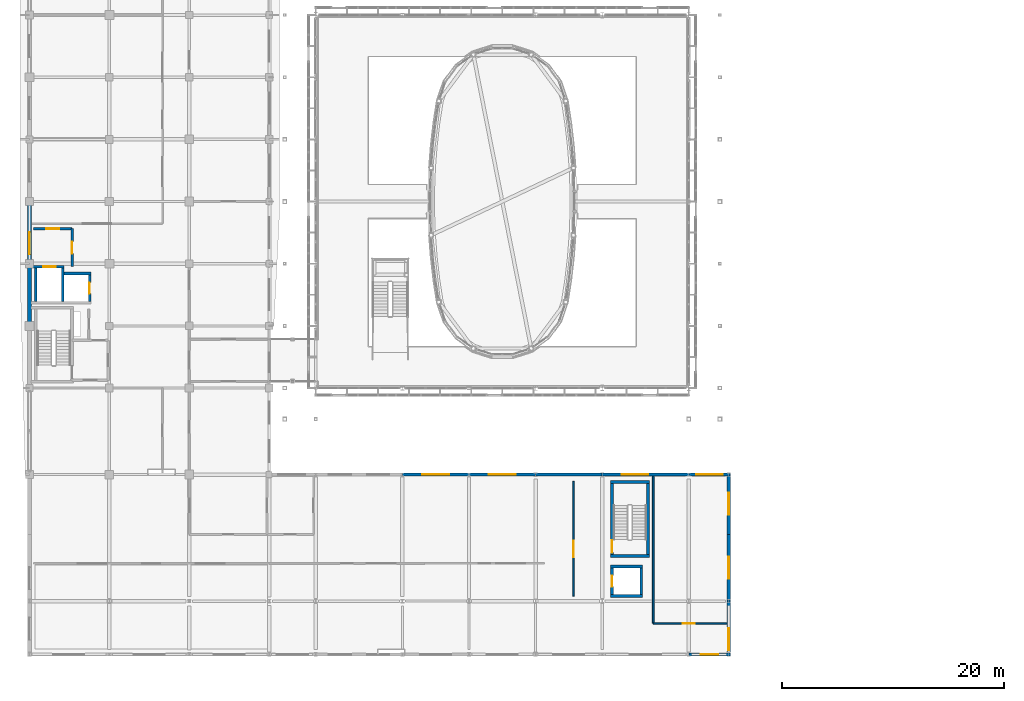
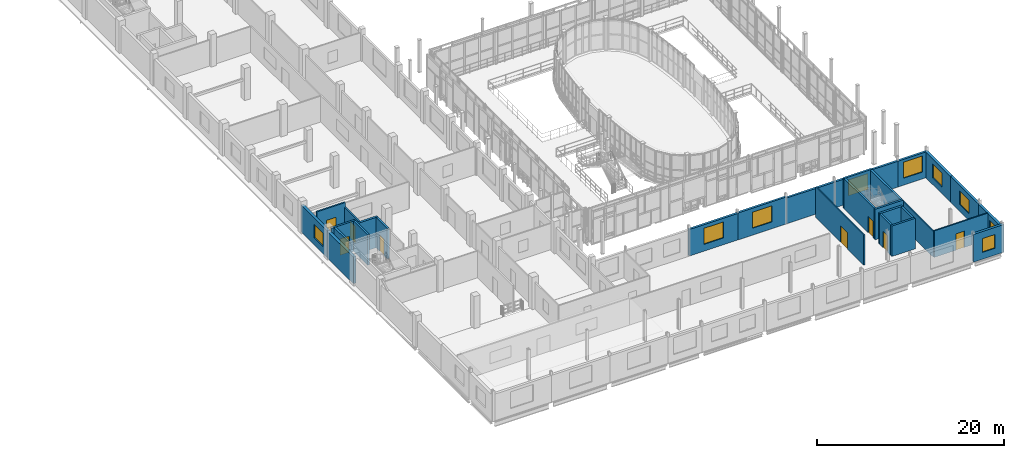
# One storey, part 94 of 121: 29 walls, 10 windows, 7 doors, 17 openings.
"""IFC4 building model written with IfcOpenShell, lengths in metres."""

from ifc_helpers import new_model, si_unit, direction, frame, frame_2d, origin, place, context, subcontext, project, spatial, rectangle, extrude, material, layer, layer_set, type_object, element, fill, save


model = new_model("IFC4")

# Units and contexts
model_context = context("Model", 3, precision=1e-05, world=origin(), true_north=direction((0.0, 1.0)))
body_context = subcontext(model_context, "Body", "Model", "MODEL_VIEW")
ifc_project = project(units=[si_unit("LENGTHUNIT", "METRE"), si_unit("AREAUNIT", "SQUARE_METRE"), si_unit("VOLUMEUNIT", "CUBIC_METRE"), si_unit("PLANEANGLEUNIT", "RADIAN"), si_unit("MASSUNIT", "GRAM", prefix="KILO")], contexts=[model_context])

# Site, building, storey
site_placement = place(None, origin())
site = spatial("IfcSite", under=ifc_project, at=site_placement, CompositionType="ELEMENT")
building_placement = place(site_placement, origin())
building = spatial("IfcBuilding", under=site, at=building_placement, Name="Vinh Khe Railworks Police Headquarters", CompositionType="ELEMENT")
storey_placement = place(building_placement, frame((0.0, 0.0, 4.800048828125)))
storey = spatial("IfcBuildingStorey", under=building, at=storey_placement, Name="L01", CompositionType="ELEMENT", Elevation=4.800048828125)

# Wall, opening, door
ifc_material_1 = material(Name="Concrete C40/50 (B40)", Category="concrete")
ifc_layer_1 = layer(ifc_material_1, 0.25)
ifc_layer_set_1 = layer_set([ifc_layer_1], Name="Concrete C40/50 (B40)")
wall_type_1 = type_object("IfcWallType", Name="Core Shear Wall 250", PredefinedType="SHEAR", material=ifc_layer_set_1)
wall_1_placement = place(storey_placement, frame((0.75, 36.125, 0.0), z_axis=(0.0, 0.0, 1.0), x_axis=(1.0, 0.0, 0.0)))
wall_1 = element("IfcWall", 1, at=wall_1_placement, inside=storey, type_object=wall_type_1, Name="Core C1 FL-N Lift Shaft Wall (L01)", PredefinedType="SHEAR", context=body_context, shape_type="SweptSolid", body=[
    extrude(rectangle(XDim=2.97509765625, YDim=0.25, at=frame_2d((1.487548828125, 0.0))), origin(), (0.0, 0.0, 1.0), 3.97998046875),
])
opening_1_placement = place(wall_1_placement, frame((1.10009765625, 0.0, 0.0)))
opening_1 = element("IfcOpeningElement", 2, at=opening_1_placement, cuts=wall_1, Name="Opening LD-01", PredefinedType="OPENING", context=body_context, shape_type="SweptSolid", body=[
    extrude(rectangle(XDim=1.10009765625, YDim=2.14990234375, at=frame_2d((0.550048828125, 1.074951171875))), frame((0.0, 0.139892578125, 0.0), z_axis=(0.0, -1.0, 0.0), x_axis=(1.0, 0.0, 0.0)), (0.0, 0.0, 1.0), 0.27978515625),
])
ifc_material_2 = material(Name="Painted galvanised steel", Category="steel")
door_type_1 = type_object("IfcDoorType", Name="LD-FF-1100", OperationType="SLIDING_TO_LEFT", PredefinedType="DOOR", material=ifc_material_2)
door_1_placement = place(opening_1_placement, origin())
door_1 = element("IfcDoor", 3, at=door_1_placement, inside=storey, type_object=door_type_1, Name="Firefighting Lift Landing Door FL-01 L01", OperationType="SLIDING_TO_LEFT", OverallHeight=2.14990234375, OverallWidth=1.10009765625, PredefinedType="DOOR", context=body_context, shape_type="SweptSolid", body=[
    extrude(rectangle(XDim=1.10009765625, YDim=2.14990234375, at=frame_2d((0.550048828125, 1.074951171875))), frame((0.0, 0.02490234375, 0.0), z_axis=(0.0, -1.0, 0.0), x_axis=(1.0, 0.0, 0.0)), (0.0, 0.0, 1.0), 0.050048828125),
])
fill(opening_1, door_1)

# Walls
wall_2_placement = place(storey_placement, frame((3.72509765625, 35.52490234375, 0.0), z_axis=(0.0, 0.0, 1.0), x_axis=(1.0, 0.0, 0.0)))
element("IfcWall", 4, at=wall_2_placement, inside=storey, type_object=wall_type_1, Name="Core C1 PL-N Lift Shaft Wall (L01)", PredefinedType="SHEAR", context=body_context, shape_type="SweptSolid", body=[
    extrude(rectangle(XDim=2.4248046875, YDim=0.25, at=frame_2d((1.21240234375, 0.0))), origin(), (0.0, 0.0, 1.0), 3.97998046875),
])
for number, where, z_axis, x_axis, name in (
    (5, (1.175048828125, 33.0, 0.0), (0.0, 0.0, 1.0), (0.0, 1.0, 0.0), "Core C1 FL-W Lift Shaft Wall (L01)"),
    (6, (3.60009765625, 33.0, 0.0), (0.0, 0.0, 1.0), (0.0, 1.0, 0.0), "Core C1 LIFT-DIV Lift Shaft Wall (L01)"),
):
    element("IfcWall", number, at=place(storey_placement, frame(where, z_axis=z_axis, x_axis=x_axis)), inside=storey, type_object=wall_type_1, Name=name, PredefinedType="SHEAR", context=body_context, shape_type="SweptSolid", body=[
        extrude(rectangle(XDim=3.0, YDim=0.25, at=frame_2d((1.5, 0.0))), origin(), (0.0, 0.0, 1.0), 3.97998046875),
    ])

# Wall, opening, door
wall_3_placement = place(storey_placement, frame((6.02490234375, 33.0, 0.0), z_axis=(0.0, 0.0, 1.0), x_axis=(0.0, 1.0, 0.0)))
wall_3 = element("IfcWall", 7, at=wall_3_placement, inside=storey, type_object=wall_type_1, Name="Core C1 PL-E Lift Shaft Wall (L01)", PredefinedType="SHEAR", context=body_context, shape_type="SweptSolid", body=[
    extrude(rectangle(XDim=2.39990234375, YDim=0.25, at=frame_2d((1.199951171875, 0.0))), origin(), (0.0, 0.0, 1.0), 3.97998046875),
])
opening_2_placement = place(wall_3_placement, frame((0.699951171875, 0.0, 0.0)))
opening_2 = element("IfcOpeningElement", 8, at=opening_2_placement, cuts=wall_3, Name="Opening LD-02", PredefinedType="OPENING", context=body_context, shape_type="SweptSolid", body=[
    extrude(rectangle(XDim=1.0, YDim=2.14990234375, at=frame_2d((0.5, 1.074951171875))), frame((0.0, 0.139892578125, 0.0), z_axis=(0.0, -1.0, 0.0), x_axis=(1.0, 0.0, 0.0)), (0.0, 0.0, 1.0), 0.27978515625),
])
door_type_2 = type_object("IfcDoorType", Name="LD-PAX-1000", OperationType="SLIDING_TO_RIGHT", PredefinedType="DOOR", material=ifc_material_2)
door_2_placement = place(opening_2_placement, frame((1.0, 0.0, 0.0), z_axis=(0.0, 0.0, 1.0), x_axis=(-1.0, 0.0, 0.0)))
door_2 = element("IfcDoor", 9, at=door_2_placement, inside=storey, type_object=door_type_2, Name="Passenger Lift Landing Door PL-01 L01", OperationType="SLIDING_TO_RIGHT", OverallHeight=2.14990234375, OverallWidth=1.0, PredefinedType="DOOR", context=body_context, shape_type="SweptSolid", body=[
    extrude(rectangle(XDim=1.0, YDim=2.14990234375, at=frame_2d((0.5, 1.074951171875))), frame((0.0, 0.02490234375, 0.0), z_axis=(0.0, -1.0, 0.0), x_axis=(1.0, 0.0, 0.0)), (0.0, 0.0, 1.0), 0.050048828125),
])
fill(opening_2, door_2)

# Walls
for number, where, z_axis, x_axis, name in (
    (10, (52.949951171875, 10.074951171875, 0.0), (0.0, 0.0, 1.0), (1.0, 0.0, 0.0), "Core C5 STAIR-S Shear Wall (L01)"),
    (11, (52.949951171875, 16.72509765625, 0.0), (0.0, 0.0, 1.0), (1.0, 0.0, 0.0), "Core C5 STAIR-N Shear Wall (L01)"),
):
    element("IfcWall", number, at=place(storey_placement, frame(where, z_axis=z_axis, x_axis=x_axis)), inside=storey, type_object=wall_type_1, Name=name, PredefinedType="SHEAR", context=body_context, shape_type="SweptSolid", body=[
        extrude(rectangle(XDim=3.5, YDim=0.25, at=frame_2d((1.75, 0.0))), origin(), (0.0, 0.0, 1.0), 3.97998046875),
    ])

# Wall, opening, door
wall_4_placement = place(storey_placement, frame((53.074951171875, 10.199951171875, 0.0), z_axis=(0.0, 0.0, 1.0), x_axis=(0.0, 1.0, 0.0)))
wall_4 = element("IfcWall", 12, at=wall_4_placement, inside=storey, type_object=wall_type_1, Name="Core C5 STAIR-W Shear Wall (L01)", PredefinedType="SHEAR", context=body_context, shape_type="SweptSolid", body=[
    extrude(rectangle(XDim=6.400146484375, YDim=0.25, at=frame_2d((3.2001953125, 0.0))), origin(), (0.0, 0.0, 1.0), 3.97998046875),
])
opening_3_placement = place(wall_4_placement, frame((0.169921875, 0.0, 0.0)))
opening_3 = element("IfcOpeningElement", 13, at=opening_3_placement, cuts=wall_4, Name="Opening FD-01", PredefinedType="OPENING", context=body_context, shape_type="SweptSolid", body=[
    extrude(rectangle(XDim=1.10009765625, YDim=2.14990234375, at=frame_2d((0.550048828125, 1.074951171875))), frame((0.0, 0.139892578125, 0.0), z_axis=(0.0, -1.0, 0.0), x_axis=(1.0, 0.0, 0.0)), (0.0, 0.0, 1.0), 0.27978515625),
])
door_type_3 = type_object("IfcDoorType", Name="FD-1100x2150", OperationType="NOTDEFINED", PredefinedType="DOOR", material=ifc_material_2)
door_3_placement = place(opening_3_placement, origin())
door_3 = element("IfcDoor", 14, at=door_3_placement, inside=storey, type_object=door_type_3, Name="Escape Stair ST-05 Fire Door L01", OperationType="SINGLE_SWING_LEFT", OverallHeight=2.14990234375, OverallWidth=1.10009765625, PredefinedType="DOOR", context=body_context, shape_type="SweptSolid", body=[
    extrude(rectangle(XDim=1.10009765625, YDim=2.14990234375, at=frame_2d((0.550048828125, 1.074951171875))), frame((0.0, 0.02490234375, 0.0), z_axis=(0.0, -1.0, 0.0), x_axis=(1.0, 0.0, 0.0)), (0.0, 0.0, 1.0), 0.050048828125),
])
fill(opening_3, door_3)

# Walls
wall_5_placement = place(storey_placement, frame((56.324951171875, 10.199951171875, 0.0), z_axis=(0.0, 0.0, 1.0), x_axis=(0.0, 1.0, 0.0)))
element("IfcWall", 15, at=wall_5_placement, inside=storey, type_object=wall_type_1, Name="Core C5 STAIR-E Shear Wall (L01)", PredefinedType="SHEAR", context=body_context, shape_type="SweptSolid", body=[
    extrude(rectangle(XDim=6.400146484375, YDim=0.25, at=frame_2d((3.2001953125, 0.0))), origin(), (0.0, 0.0, 1.0), 3.97998046875),
])
for number, where, z_axis, x_axis, name in (
    (16, (52.949951171875, 6.47509765625, 0.0), (0.0, 0.0, 1.0), (1.0, 0.0, 0.0), "Core C5 PL-S Lift Shaft Wall (L01)"),
    (17, (52.949951171875, 9.125, 0.0), (0.0, 0.0, 1.0), (1.0, 0.0, 0.0), "Core C5 PL-N Lift Shaft Wall (L01)"),
):
    element("IfcWall", number, at=place(storey_placement, frame(where, z_axis=z_axis, x_axis=x_axis)), inside=storey, type_object=wall_type_1, Name=name, PredefinedType="SHEAR", context=body_context, shape_type="SweptSolid", body=[
        extrude(rectangle(XDim=2.900146484375, YDim=0.25, at=frame_2d((1.4501953125, 0.0))), origin(), (0.0, 0.0, 1.0), 3.97998046875),
    ])

# Wall, opening, door
wall_6_placement = place(storey_placement, frame((53.074951171875, 6.60009765625, 0.0), z_axis=(0.0, 0.0, 1.0), x_axis=(0.0, 1.0, 0.0)))
wall_6 = element("IfcWall", 18, at=wall_6_placement, inside=storey, type_object=wall_type_1, Name="Core C5 PL-W Lift Shaft Wall (L01)", PredefinedType="SHEAR", context=body_context, shape_type="SweptSolid", body=[
    extrude(rectangle(XDim=2.39990234375, YDim=0.25, at=frame_2d((1.199951171875, 0.0))), origin(), (0.0, 0.0, 1.0), 3.97998046875),
])
opening_4_placement = place(wall_6_placement, frame((0.699951171875, 0.0, 0.0)))
opening_4 = element("IfcOpeningElement", 19, at=opening_4_placement, cuts=wall_6, Name="Opening LD-02", PredefinedType="OPENING", context=body_context, shape_type="SweptSolid", body=[
    extrude(rectangle(XDim=1.0, YDim=2.14990234375, at=frame_2d((0.5, 1.074951171875))), frame((0.0, 0.139892578125, 0.0), z_axis=(0.0, -1.0, 0.0), x_axis=(1.0, 0.0, 0.0)), (0.0, 0.0, 1.0), 0.27978515625),
])
door_4_placement = place(opening_4_placement, origin())
door_4 = element("IfcDoor", 20, at=door_4_placement, inside=storey, type_object=door_type_2, Name="Lift Landing Door PL-04 L01", OperationType="SLIDING_TO_LEFT", OverallHeight=2.14990234375, OverallWidth=1.0, PredefinedType="DOOR", context=body_context, shape_type="SweptSolid", body=[
    extrude(rectangle(XDim=1.0, YDim=2.14990234375, at=frame_2d((0.5, 1.074951171875))), frame((0.0, 0.02490234375, 0.0), z_axis=(0.0, -1.0, 0.0), x_axis=(1.0, 0.0, 0.0)), (0.0, 0.0, 1.0), 0.050048828125),
])
fill(opening_4, door_4)

# Wall
wall_7_placement = place(storey_placement, frame((55.72509765625, 6.60009765625, 0.0), z_axis=(0.0, 0.0, 1.0), x_axis=(0.0, 1.0, 0.0)))
element("IfcWall", 21, at=wall_7_placement, inside=storey, type_object=wall_type_1, Name="Core C5 PL-E Lift Shaft Wall (L01)", PredefinedType="SHEAR", context=body_context, shape_type="SweptSolid", body=[
    extrude(rectangle(XDim=2.39990234375, YDim=0.25, at=frame_2d((1.199951171875, 0.0))), origin(), (0.0, 0.0, 1.0), 3.97998046875),
])

# Wall, opening, window
ifc_material_3 = material(Name="Clay brickwork", Category="masonry")
ifc_layer_2 = layer(ifc_material_3, 0.260009765625)
ifc_layer_set_2 = layer_set([ifc_layer_2], Name="Clay brickwork")
wall_type_2 = type_object("IfcWallType", Name="EW-BRK-260", PredefinedType="SOLIDWALL", material=ifc_layer_set_2)
wall_8_placement = place(storey_placement, frame((34.199951171875, 17.39990234375, 0.0), z_axis=(0.0, 0.0, 1.0), x_axis=(1.0, 0.0, 0.0)))
wall_8 = element("IfcWall", 22, at=wall_8_placement, inside=storey, type_object=wall_type_2, Name="Exterior Brick Wall EW-L01-V4N-03", PredefinedType="SOLIDWALL", context=body_context, shape_type="SweptSolid", body=[
    extrude(rectangle(XDim=6.0, YDim=0.260009765625, at=frame_2d((3.0, 0.0))), origin(), (0.0, 0.0, 1.0), 3.474853515625),
])
opening_5_placement = place(wall_8_placement, frame((1.800048828125, 0.0, 0.89990234375)))
opening_5 = element("IfcOpeningElement", 23, at=opening_5_placement, cuts=wall_8, Name="Opening WN-02", PredefinedType="OPENING", context=body_context, shape_type="SweptSolid", body=[
    extrude(rectangle(XDim=2.39990234375, YDim=2.10009765625, at=frame_2d((1.199951171875, 1.050048828125))), frame((0.0, 0.14501953125, 0.0), z_axis=(0.0, -1.0, 0.0), x_axis=(1.0, 0.0, 0.0)), (0.0, 0.0, 1.0), 0.289794921875),
])
ifc_material_4 = material(Name="Double-glazed solar-control glass in dark steel frame", Category="steel")
window_type_1 = type_object("IfcWindowType", Name="WIN-WN-02", PartitioningType="DOUBLE_PANEL_VERTICAL", PredefinedType="WINDOW", material=ifc_material_4)
window_1_placement = place(opening_5_placement, origin())
window_1 = element("IfcWindow", 24, at=window_1_placement, inside=storey, type_object=window_type_1, Name="Casement Window WN-02", OverallHeight=2.10009765625, OverallWidth=2.39990234375, PartitioningType="SINGLE_PANEL", PredefinedType="WINDOW", context=body_context, shape_type="SweptSolid", body=[
    extrude(rectangle(XDim=2.39990234375, YDim=2.10009765625, at=frame_2d((1.199951171875, 1.050048828125))), frame((0.0, 0.030029296875, 0.0), z_axis=(0.0, -1.0, 0.0), x_axis=(1.0, 0.0, 0.0)), (0.0, 0.0, 1.0), 0.06005859375),
])
fill(opening_5, window_1)

wall_9_placement = place(storey_placement, frame((40.199951171875, 17.39990234375, 0.0), z_axis=(0.0, 0.0, 1.0), x_axis=(1.0, 0.0, 0.0)))
wall_9 = element("IfcWall", 25, at=wall_9_placement, inside=storey, type_object=wall_type_2, Name="Exterior Brick Wall EW-L01-V4N-04", PredefinedType="SOLIDWALL", context=body_context, shape_type="SweptSolid", body=[
    extrude(rectangle(XDim=6.0, YDim=0.260009765625, at=frame_2d((3.0, 0.0))), origin(), (0.0, 0.0, 1.0), 3.52490234375),
])
opening_6_placement = place(wall_9_placement, frame((1.800048828125, 0.0, 0.89990234375)))
opening_6 = element("IfcOpeningElement", 26, at=opening_6_placement, cuts=wall_9, Name="Opening WN-02", PredefinedType="OPENING", context=body_context, shape_type="SweptSolid", body=[
    extrude(rectangle(XDim=2.39990234375, YDim=2.10009765625, at=frame_2d((1.199951171875, 1.050048828125))), frame((0.0, 0.14501953125, 0.0), z_axis=(0.0, -1.0, 0.0), x_axis=(1.0, 0.0, 0.0)), (0.0, 0.0, 1.0), 0.289794921875),
])
window_2_placement = place(opening_6_placement, origin())
window_2 = element("IfcWindow", 27, at=window_2_placement, inside=storey, type_object=window_type_1, Name="Casement Window WN-02", OverallHeight=2.10009765625, OverallWidth=2.39990234375, PartitioningType="SINGLE_PANEL", PredefinedType="WINDOW", context=body_context, shape_type="SweptSolid", body=[
    extrude(rectangle(XDim=2.39990234375, YDim=2.10009765625, at=frame_2d((1.199951171875, 1.050048828125))), frame((0.0, 0.030029296875, 0.0), z_axis=(0.0, -1.0, 0.0), x_axis=(1.0, 0.0, 0.0)), (0.0, 0.0, 1.0), 0.06005859375),
])
fill(opening_6, window_2)

# Wall
wall_10_placement = place(storey_placement, frame((46.199951171875, 17.39990234375, 0.0), z_axis=(0.0, 0.0, 1.0), x_axis=(1.0, 0.0, 0.0)))
element("IfcWall", 28, at=wall_10_placement, inside=storey, type_object=wall_type_2, Name="Exterior Brick Wall EW-L01-V4N-05", PredefinedType="SOLIDWALL", context=body_context, shape_type="SweptSolid", body=[
    extrude(rectangle(XDim=6.0, YDim=0.260009765625, at=frame_2d((3.0, 0.0))), origin(), (0.0, 0.0, 1.0), 3.375),
])

# Wall, opening, window
wall_11_placement = place(storey_placement, frame((52.199951171875, 17.39990234375, 0.0), z_axis=(0.0, 0.0, 1.0), x_axis=(1.0, 0.0, 0.0)))
wall_11 = element("IfcWall", 29, at=wall_11_placement, inside=storey, type_object=wall_type_2, Name="Exterior Brick Wall EW-L01-V4N-06", PredefinedType="SOLIDWALL", context=body_context, shape_type="SweptSolid", body=[
    extrude(rectangle(XDim=7.800048828125, YDim=0.260009765625, at=frame_2d((3.89990234375, 0.0))), origin(), (0.0, 0.0, 1.0), 3.375),
])
opening_7_placement = place(wall_11_placement, frame((1.75, 0.0, 0.89990234375)))
opening_7 = element("IfcOpeningElement", 30, at=opening_7_placement, cuts=wall_11, Name="Opening WN-02", PredefinedType="OPENING", context=body_context, shape_type="SweptSolid", body=[
    extrude(rectangle(XDim=2.39990234375, YDim=2.10009765625, at=frame_2d((1.199951171875, 1.050048828125))), frame((0.0, 0.14501953125, 0.0), z_axis=(0.0, -1.0, 0.0), x_axis=(1.0, 0.0, 0.0)), (0.0, 0.0, 1.0), 0.289794921875),
])
window_3_placement = place(opening_7_placement, origin())
window_3 = element("IfcWindow", 31, at=window_3_placement, inside=storey, type_object=window_type_1, Name="Casement Window WN-02", OverallHeight=2.10009765625, OverallWidth=2.39990234375, PartitioningType="SINGLE_PANEL", PredefinedType="WINDOW", context=body_context, shape_type="SweptSolid", body=[
    extrude(rectangle(XDim=2.39990234375, YDim=2.10009765625, at=frame_2d((1.199951171875, 1.050048828125))), frame((0.0, 0.030029296875, 0.0), z_axis=(0.0, -1.0, 0.0), x_axis=(1.0, 0.0, 0.0)), (0.0, 0.0, 1.0), 0.06005859375),
])
fill(opening_7, window_3)

wall_12_placement = place(storey_placement, frame((60.0, 17.39990234375, 0.0), z_axis=(0.0, 0.0, 1.0), x_axis=(1.0, 0.0, 0.0)))
wall_12 = element("IfcWall", 32, at=wall_12_placement, inside=storey, type_object=wall_type_2, Name="Exterior Brick Wall EW-L01-V4N-07", PredefinedType="SOLIDWALL", context=body_context, shape_type="SweptSolid", body=[
    extrude(rectangle(XDim=3.72998046875, YDim=0.260009765625, at=frame_2d((1.864990234375, 0.0))), origin(), (0.0, 0.0, 1.0), 3.375),
])
opening_8_placement = place(wall_12_placement, frame((0.6650390625, 0.0, 0.89990234375)))
opening_8 = element("IfcOpeningElement", 33, at=opening_8_placement, cuts=wall_12, Name="Opening WN-02", PredefinedType="OPENING", context=body_context, shape_type="SweptSolid", body=[
    extrude(rectangle(XDim=2.39990234375, YDim=2.10009765625, at=frame_2d((1.199951171875, 1.050048828125))), frame((0.0, 0.14501953125, 0.0), z_axis=(0.0, -1.0, 0.0), x_axis=(1.0, 0.0, 0.0)), (0.0, 0.0, 1.0), 0.289794921875),
])
window_4_placement = place(opening_8_placement, origin())
window_4 = element("IfcWindow", 34, at=window_4_placement, inside=storey, type_object=window_type_1, Name="Casement Window WN-02", OverallHeight=2.10009765625, OverallWidth=2.39990234375, PartitioningType="SINGLE_PANEL", PredefinedType="WINDOW", context=body_context, shape_type="SweptSolid", body=[
    extrude(rectangle(XDim=2.39990234375, YDim=2.10009765625, at=frame_2d((1.199951171875, 1.050048828125))), frame((0.0, 0.030029296875, 0.0), z_axis=(0.0, -1.0, 0.0), x_axis=(1.0, 0.0, 0.0)), (0.0, 0.0, 1.0), 0.06005859375),
])
fill(opening_8, window_4)

ifc_layer_3 = layer(ifc_material_3, 0.300048828125)
ifc_layer_set_3 = layer_set([ifc_layer_3], Name="Clay brickwork")
wall_type_3 = type_object("IfcWallType", Name="EW-BRK-300", PredefinedType="SOLIDWALL", material=ifc_layer_set_3)
wall_13_placement = place(storey_placement, frame((60.0, 1.199951171875, 0.0), z_axis=(0.0, 0.0, 1.0), x_axis=(1.0, 0.0, 0.0)))
wall_13 = element("IfcWall", 35, at=wall_13_placement, inside=storey, type_object=wall_type_3, Name="Exterior Brick Wall EW-L01-V4S-10", PredefinedType="SOLIDWALL", context=body_context, shape_type="SweptSolid", body=[
    extrude(rectangle(XDim=3.75, YDim=0.300048828125, at=frame_2d((1.875, 0.0))), origin(), (0.0, 0.0, 1.0), 3.625),
])
opening_9_placement = place(wall_13_placement, frame((1.074951171875, 0.0, 0.89990234375)))
opening_9 = element("IfcOpeningElement", 36, at=opening_9_placement, cuts=wall_13, Name="Opening WN-05", PredefinedType="OPENING", context=body_context, shape_type="SweptSolid", body=[
    extrude(rectangle(XDim=1.60009765625, YDim=1.800048828125, at=frame_2d((0.800048828125, 0.89990234375))), frame((0.0, 0.1650390625, 0.0), z_axis=(0.0, -1.0, 0.0), x_axis=(1.0, 0.0, 0.0)), (0.0, 0.0, 1.0), 0.329833984375),
])
window_type_2 = type_object("IfcWindowType", Name="WIN-WN-05", PartitioningType="SINGLE_PANEL", PredefinedType="WINDOW", material=ifc_material_4)
window_5_placement = place(opening_9_placement, origin())
window_5 = element("IfcWindow", 37, at=window_5_placement, inside=storey, type_object=window_type_2, Name="Casement Window WN-05", OverallHeight=1.800048828125, OverallWidth=1.60009765625, PartitioningType="SINGLE_PANEL", PredefinedType="WINDOW", context=body_context, shape_type="SweptSolid", body=[
    extrude(rectangle(XDim=1.60009765625, YDim=1.800048828125, at=frame_2d((0.800048828125, 0.89990234375))), frame((0.0, 0.030029296875, 0.0), z_axis=(0.0, -1.0, 0.0), x_axis=(1.0, 0.0, 0.0)), (0.0, 0.0, 1.0), 0.06005859375),
])
fill(opening_9, window_5)

wall_14_placement = place(storey_placement, frame((63.60009765625, 1.050048828125, 0.0), z_axis=(0.0, 0.0, 1.0), x_axis=(0.0, 1.0, 0.0)))
wall_14 = element("IfcWall", 38, at=wall_14_placement, inside=storey, type_object=wall_type_3, Name="Exterior Brick Wall EW-L01-V4E-01", PredefinedType="SOLIDWALL", context=body_context, shape_type="SweptSolid", body=[
    extrude(rectangle(XDim=4.949951171875, YDim=0.300048828125, at=frame_2d((2.47509765625, 0.0))), origin(), (0.0, 0.0, 1.0), 3.385009765625),
])
opening_10_placement = place(wall_14_placement, frame((0.52490234375, 0.0, 0.89990234375)))
opening_10 = element("IfcOpeningElement", 39, at=opening_10_placement, cuts=wall_14, Name="Opening WN-04", PredefinedType="OPENING", context=body_context, shape_type="SweptSolid", body=[
    extrude(rectangle(XDim=2.0, YDim=1.800048828125, at=frame_2d((1.0, 0.89990234375))), frame((0.0, 0.1650390625, 0.0), z_axis=(0.0, -1.0, 0.0), x_axis=(1.0, 0.0, 0.0)), (0.0, 0.0, 1.0), 0.329833984375),
])
window_type_3 = type_object("IfcWindowType", Name="WIN-WN-04", PartitioningType="DOUBLE_PANEL_VERTICAL", PredefinedType="WINDOW", material=ifc_material_4)
window_6_placement = place(opening_10_placement, origin())
window_6 = element("IfcWindow", 40, at=window_6_placement, inside=storey, type_object=window_type_3, Name="Casement Window WN-04", OverallHeight=1.800048828125, OverallWidth=2.0, PartitioningType="SINGLE_PANEL", PredefinedType="WINDOW", context=body_context, shape_type="SweptSolid", body=[
    extrude(rectangle(XDim=2.0, YDim=1.800048828125, at=frame_2d((1.0, 0.89990234375))), frame((0.0, 0.030029296875, 0.0), z_axis=(0.0, -1.0, 0.0), x_axis=(1.0, 0.0, 0.0)), (0.0, 0.0, 1.0), 0.06005859375),
])
fill(opening_10, window_6)

wall_15_placement = place(storey_placement, frame((63.60009765625, 6.0, 0.0), z_axis=(0.0, 0.0, 1.0), x_axis=(0.0, 1.0, 0.0)))
wall_15 = element("IfcWall", 41, at=wall_15_placement, inside=storey, type_object=wall_type_3, Name="Exterior Brick Wall EW-L01-V4E-02", PredefinedType="SOLIDWALL", context=body_context, shape_type="SweptSolid", body=[
    extrude(rectangle(XDim=6.0, YDim=0.300048828125, at=frame_2d((3.0, 0.0))), origin(), (0.0, 0.0, 1.0), 3.385009765625),
])
opening_11_placement = place(wall_15_placement, frame((2.0, 0.0, 0.89990234375)))
opening_11 = element("IfcOpeningElement", 42, at=opening_11_placement, cuts=wall_15, Name="Opening WN-04", PredefinedType="OPENING", context=body_context, shape_type="SweptSolid", body=[
    extrude(rectangle(XDim=2.0, YDim=1.800048828125, at=frame_2d((1.0, 0.89990234375))), frame((0.0, 0.1650390625, 0.0), z_axis=(0.0, -1.0, 0.0), x_axis=(1.0, 0.0, 0.0)), (0.0, 0.0, 1.0), 0.329833984375),
])
window_7_placement = place(opening_11_placement, origin())
window_7 = element("IfcWindow", 43, at=window_7_placement, inside=storey, type_object=window_type_3, Name="Casement Window WN-04", OverallHeight=1.800048828125, OverallWidth=2.0, PartitioningType="SINGLE_PANEL", PredefinedType="WINDOW", context=body_context, shape_type="SweptSolid", body=[
    extrude(rectangle(XDim=2.0, YDim=1.800048828125, at=frame_2d((1.0, 0.89990234375))), frame((0.0, 0.030029296875, 0.0), z_axis=(0.0, -1.0, 0.0), x_axis=(1.0, 0.0, 0.0)), (0.0, 0.0, 1.0), 0.06005859375),
])
fill(opening_11, window_7)

wall_16_placement = place(storey_placement, frame((63.60009765625, 12.0, 0.0), z_axis=(0.0, 0.0, 1.0), x_axis=(0.0, 1.0, 0.0)))
wall_16 = element("IfcWall", 44, at=wall_16_placement, inside=storey, type_object=wall_type_3, Name="Exterior Brick Wall EW-L01-V4E-03", PredefinedType="SOLIDWALL", context=body_context, shape_type="SweptSolid", body=[
    extrude(rectangle(XDim=5.550048828125, YDim=0.300048828125, at=frame_2d((2.77490234375, 0.0))), origin(), (0.0, 0.0, 1.0), 3.385009765625),
])
opening_12_placement = place(wall_16_placement, frame((1.77490234375, 0.0, 0.89990234375)))
opening_12 = element("IfcOpeningElement", 45, at=opening_12_placement, cuts=wall_16, Name="Opening WN-04", PredefinedType="OPENING", context=body_context, shape_type="SweptSolid", body=[
    extrude(rectangle(XDim=2.0, YDim=1.800048828125, at=frame_2d((1.0, 0.89990234375))), frame((0.0, 0.1650390625, 0.0), z_axis=(0.0, -1.0, 0.0), x_axis=(1.0, 0.0, 0.0)), (0.0, 0.0, 1.0), 0.329833984375),
])
window_8_placement = place(opening_12_placement, origin())
window_8 = element("IfcWindow", 46, at=window_8_placement, inside=storey, type_object=window_type_3, Name="Casement Window WN-04", OverallHeight=1.800048828125, OverallWidth=2.0, PartitioningType="SINGLE_PANEL", PredefinedType="WINDOW", context=body_context, shape_type="SweptSolid", body=[
    extrude(rectangle(XDim=2.0, YDim=1.800048828125, at=frame_2d((1.0, 0.89990234375))), frame((0.0, 0.030029296875, 0.0), z_axis=(0.0, -1.0, 0.0), x_axis=(1.0, 0.0, 0.0)), (0.0, 0.0, 1.0), 0.06005859375),
])
fill(opening_12, window_8)

# Wall
ifc_layer_4 = layer(ifc_material_3, 0.340087890625)
ifc_layer_set_4 = layer_set([ifc_layer_4], Name="Clay brickwork")
wall_type_4 = type_object("IfcWallType", Name="EW-BRK-340", PredefinedType="SOLIDWALL", material=ifc_layer_set_4)
wall_17_placement = place(storey_placement, frame((0.60009765625, 30.800048828125, 0.0), z_axis=(0.0, 0.0, 1.0), x_axis=(0.0, 1.0, 0.0)))
element("IfcWall", 47, at=wall_17_placement, inside=storey, type_object=wall_type_4, Name="Exterior Brick Wall EW-L01-V5W-03", PredefinedType="SOLIDWALL", context=body_context, shape_type="SweptSolid", body=[
    extrude(rectangle(XDim=5.599853515625, YDim=0.340087890625, at=frame_2d((2.7998046875, 0.0))), origin(), (0.0, 0.0, 1.0), 3.474853515625),
])

# Wall, opening, window
wall_18_placement = place(storey_placement, frame((0.60009765625, 36.39990234375, 0.0), z_axis=(0.0, 0.0, 1.0), x_axis=(0.0, 1.0, 0.0)))
wall_18 = element("IfcWall", 48, at=wall_18_placement, inside=storey, type_object=wall_type_4, Name="Exterior Brick Wall EW-L01-V5W-04", PredefinedType="SOLIDWALL", context=body_context, shape_type="SweptSolid", body=[
    extrude(rectangle(XDim=5.60009765625, YDim=0.340087890625, at=frame_2d((2.800048828125, 0.0))), origin(), (0.0, 0.0, 1.0), 3.52490234375),
])
opening_13_placement = place(wall_18_placement, frame((0.85009765625, 0.0, 0.89990234375)))
opening_13 = element("IfcOpeningElement", 49, at=opening_13_placement, cuts=wall_18, Name="Opening WN-04", PredefinedType="OPENING", context=body_context, shape_type="SweptSolid", body=[
    extrude(rectangle(XDim=2.0, YDim=1.800048828125, at=frame_2d((1.0, 0.89990234375))), frame((0.0, 0.18505859375, 0.0), z_axis=(0.0, -1.0, 0.0), x_axis=(1.0, 0.0, 0.0)), (0.0, 0.0, 1.0), 0.369873046875),
])
window_9_placement = place(opening_13_placement, origin())
window_9 = element("IfcWindow", 50, at=window_9_placement, inside=storey, type_object=window_type_3, Name="Casement Window WN-04", OverallHeight=1.800048828125, OverallWidth=2.0, PartitioningType="SINGLE_PANEL", PredefinedType="WINDOW", context=body_context, shape_type="SweptSolid", body=[
    extrude(rectangle(XDim=2.0, YDim=1.800048828125, at=frame_2d((1.0, 0.89990234375))), frame((0.0, 0.030029296875, 0.0), z_axis=(0.0, -1.0, 0.0), x_axis=(1.0, 0.0, 0.0)), (0.0, 0.0, 1.0), 0.06005859375),
])
fill(opening_13, window_9)

ifc_material_5 = material(Name="Autoclaved aerated concrete blockwork", Category="masonry")
ifc_layer_5 = layer(ifc_material_5, 0.199951171875)
ifc_layer_set_5 = layer_set([ifc_layer_5], Name="Autoclaved aerated concrete blockwork")
wall_type_5 = type_object("IfcWallType", Name="IW-BLK-200", PredefinedType="PARTITIONING", material=ifc_layer_set_5)
wall_19_placement = place(storey_placement, frame((0.949951171875, 39.550048828125, 0.0), z_axis=(0.0, 0.0, 1.0), x_axis=(1.0, 0.0, 0.0)))
wall_19 = element("IfcWall", 51, at=wall_19_placement, inside=storey, type_object=wall_type_5, Name="Interior Partition W-FFL-C1-N-L01", PredefinedType="PARTITIONING", context=body_context, shape_type="SweptSolid", body=[
    extrude(rectangle(XDim=3.5, YDim=0.199951171875, at=frame_2d((1.75, 0.0))), origin(), (0.0, 0.0, 1.0), 3.974853515625),
])
opening_14_placement = place(wall_19_placement, frame((1.14990234375, 0.0, 0.949951171875)))
opening_14 = element("IfcOpeningElement", 52, at=opening_14_placement, cuts=wall_19, Name="Opening WN-10", PredefinedType="OPENING", context=body_context, shape_type="SweptSolid", body=[
    extrude(rectangle(XDim=1.199951171875, YDim=1.5, at=frame_2d((0.60009765625, 0.75))), frame((0.0, 0.11474609375, 0.0), z_axis=(0.0, -1.0, 0.0), x_axis=(1.0, 0.0, 0.0)), (0.0, 0.0, 1.0), 0.229736328125),
])
window_type_4 = type_object("IfcWindowType", Name="WIN-WN-10", PartitioningType="SINGLE_PANEL", PredefinedType="WINDOW", material=ifc_material_4)
window_10_placement = place(opening_14_placement, origin())
window_10 = element("IfcWindow", 53, at=window_10_placement, inside=storey, type_object=window_type_4, Name="Interior Acoustic Vision Window WN-10", OverallHeight=1.5, OverallWidth=1.199951171875, PartitioningType="SINGLE_PANEL", PredefinedType="WINDOW", context=body_context, shape_type="SweptSolid", body=[
    extrude(rectangle(XDim=1.199951171875, YDim=1.5, at=frame_2d((0.60009765625, 0.75))), frame((0.0, 0.030029296875, 0.0), z_axis=(0.0, -1.0, 0.0), x_axis=(1.0, 0.0, 0.0)), (0.0, 0.0, 1.0), 0.06005859375),
])
fill(opening_14, window_10)

# Wall, opening, door
wall_20_placement = place(storey_placement, frame((4.449951171875, 36.14990234375, 0.0), z_axis=(0.0, 0.0, 1.0), x_axis=(0.0, 1.0, 0.0)))
wall_20 = element("IfcWall", 54, at=wall_20_placement, inside=storey, type_object=wall_type_5, Name="Interior Partition W-FFL-C1-E-L01", PredefinedType="PARTITIONING", context=body_context, shape_type="SweptSolid", body=[
    extrude(rectangle(XDim=3.400146484375, YDim=0.199951171875, at=frame_2d((1.7001953125, 0.0))), origin(), (0.0, 0.0, 1.0), 3.375),
])
opening_15_placement = place(wall_20_placement, frame((1.14990234375, 0.0, 0.0)))
opening_15 = element("IfcOpeningElement", 55, at=opening_15_placement, cuts=wall_20, Name="Opening FD-01", PredefinedType="OPENING", context=body_context, shape_type="SweptSolid", body=[
    extrude(rectangle(XDim=1.10009765625, YDim=2.14990234375, at=frame_2d((0.550048828125, 1.074951171875))), frame((0.0, 0.11474609375, 0.0), z_axis=(0.0, -1.0, 0.0), x_axis=(1.0, 0.0, 0.0)), (0.0, 0.0, 1.0), 0.229736328125),
])
door_5_placement = place(opening_15_placement, origin())
door_5 = element("IfcDoor", 56, at=door_5_placement, inside=storey, type_object=door_type_3, Name="Firefighting Lobby Exit Door", OperationType="SINGLE_SWING_RIGHT", OverallHeight=2.14990234375, OverallWidth=1.10009765625, PredefinedType="DOOR", context=body_context, shape_type="SweptSolid", body=[
    extrude(rectangle(XDim=1.10009765625, YDim=2.14990234375, at=frame_2d((0.550048828125, 1.074951171875))), frame((0.0, 0.02490234375, 0.0), z_axis=(0.0, -1.0, 0.0), x_axis=(1.0, 0.0, 0.0)), (0.0, 0.0, 1.0), 0.050048828125),
])
fill(opening_15, door_5)

# Wall
ifc_material_6 = material(Name="Gypsum plasterboard on acoustic steel stud", Category="steel")
ifc_layer_6 = layer(ifc_material_6, 0.14990234375)
ifc_layer_set_6 = layer_set([ifc_layer_6], Name="Gypsum plasterboard on acoustic steel stud")
wall_type_6 = type_object("IfcWallType", Name="IW-PART-150", PredefinedType="PARTITIONING", material=ifc_layer_set_6)
wall_21_placement = place(storey_placement, frame((56.800048828125, 4.0, 0.0), z_axis=(0.0, 0.0, 1.0), x_axis=(0.0, 1.0, 0.0)))
element("IfcWall", 57, at=wall_21_placement, inside=storey, type_object=wall_type_6, Name="Interior Partition W-L01-V4-INQ-W", PredefinedType="PARTITIONING", context=body_context, shape_type="SweptSolid", body=[
    extrude(rectangle(XDim=13.260009765625, YDim=0.14990234375, at=frame_2d((6.6298828125, 0.0))), origin(), (0.0, 0.0, 1.0), 3.375),
])

# Wall, opening, door
wall_22_placement = place(storey_placement, frame((56.800048828125, 4.0, 0.0), z_axis=(0.0, 0.0, 1.0), x_axis=(1.0, 0.0, 0.0)))
wall_22 = element("IfcWall", 58, at=wall_22_placement, inside=storey, type_object=wall_type_6, Name="Interior Partition W-L01-V4-INQ-S", PredefinedType="PARTITIONING", context=body_context, shape_type="SweptSolid", body=[
    extrude(rectangle(XDim=6.639892578125, YDim=0.14990234375, at=frame_2d((3.31982421875, 0.0))), origin(), (0.0, 0.0, 1.0), 3.474853515625),
])
opening_16_placement = place(wall_22_placement, frame((2.675048828125, 0.0, 0.0)))
opening_16 = element("IfcOpeningElement", 59, at=opening_16_placement, cuts=wall_22, Name="Opening D-02", PredefinedType="OPENING", context=body_context, shape_type="SweptSolid", body=[
    extrude(rectangle(XDim=1.050048828125, YDim=2.14990234375, at=frame_2d((0.52490234375, 1.074951171875))), frame((0.0, 0.08984375, 0.0), z_axis=(0.0, -1.0, 0.0), x_axis=(1.0, 0.0, 0.0)), (0.0, 0.0, 1.0), 0.1796875),
])
ifc_material_7 = material(Name="Seasoned hardwood timber", Category="wood")
door_type_4 = type_object("IfcDoorType", Name="ID-1050x2150", OperationType="NOTDEFINED", PredefinedType="DOOR", material=ifc_material_7)
door_6_placement = place(opening_16_placement, origin())
door_6 = element("IfcDoor", 60, at=door_6_placement, inside=storey, type_object=door_type_4, Name="Public Records Inquiry Office Door", OperationType="SINGLE_SWING_RIGHT", OverallHeight=2.14990234375, OverallWidth=1.050048828125, PredefinedType="DOOR", context=body_context, shape_type="SweptSolid", body=[
    extrude(rectangle(XDim=1.050048828125, YDim=2.14990234375, at=frame_2d((0.52490234375, 1.074951171875))), frame((0.0, 0.02490234375, 0.0), z_axis=(0.0, -1.0, 0.0), x_axis=(1.0, 0.0, 0.0)), (0.0, 0.0, 1.0), 0.050048828125),
])
fill(opening_16, door_6)

wall_23_placement = place(storey_placement, frame((49.60009765625, 6.449951171875, 0.0), z_axis=(0.0, 0.0, 1.0), x_axis=(0.0, 1.0, 0.0)))
wall_23 = element("IfcWall", 61, at=wall_23_placement, inside=storey, type_object=wall_type_6, Name="Interior Partition W-L01-C5LOB-W", PredefinedType="PARTITIONING", context=body_context, shape_type="SweptSolid", body=[
    extrude(rectangle(XDim=10.35009765625, YDim=0.14990234375, at=frame_2d((5.175048828125, 0.0))), origin(), (0.0, 0.0, 1.0), 3.974853515625),
])
opening_17_placement = place(wall_23_placement, frame((3.5, 0.0, 0.0)))
opening_17 = element("IfcOpeningElement", 62, at=opening_17_placement, cuts=wall_23, Name="Opening FD-02", PredefinedType="OPENING", context=body_context, shape_type="SweptSolid", body=[
    extrude(rectangle(XDim=1.5, YDim=2.14990234375, at=frame_2d((0.75, 1.074951171875))), frame((0.0, 0.08984375, 0.0), z_axis=(0.0, -1.0, 0.0), x_axis=(1.0, 0.0, 0.0)), (0.0, 0.0, 1.0), 0.1796875),
])
door_type_5 = type_object("IfcDoorType", Name="FD-1500x2150", OperationType="DOUBLE_DOOR_SINGLE_SWING", PredefinedType="DOOR", material=ifc_material_2)
door_7_placement = place(opening_17_placement, origin())
door_7 = element("IfcDoor", 63, at=door_7_placement, inside=storey, type_object=door_type_5, Name="Front Lift Lobby Fire Door L01", OperationType="DOUBLE_DOOR_SINGLE_SWING", OverallHeight=2.14990234375, OverallWidth=1.5, PredefinedType="DOOR", context=body_context, shape_type="SweptSolid", body=[
    extrude(rectangle(XDim=1.5, YDim=2.14990234375, at=frame_2d((0.75, 1.074951171875))), frame((0.0, 0.02490234375, 0.0), z_axis=(0.0, -1.0, 0.0), x_axis=(1.0, 0.0, 0.0)), (0.0, 0.0, 1.0), 0.050048828125),
])
fill(opening_17, door_7)

save(model, "model.ifc")
